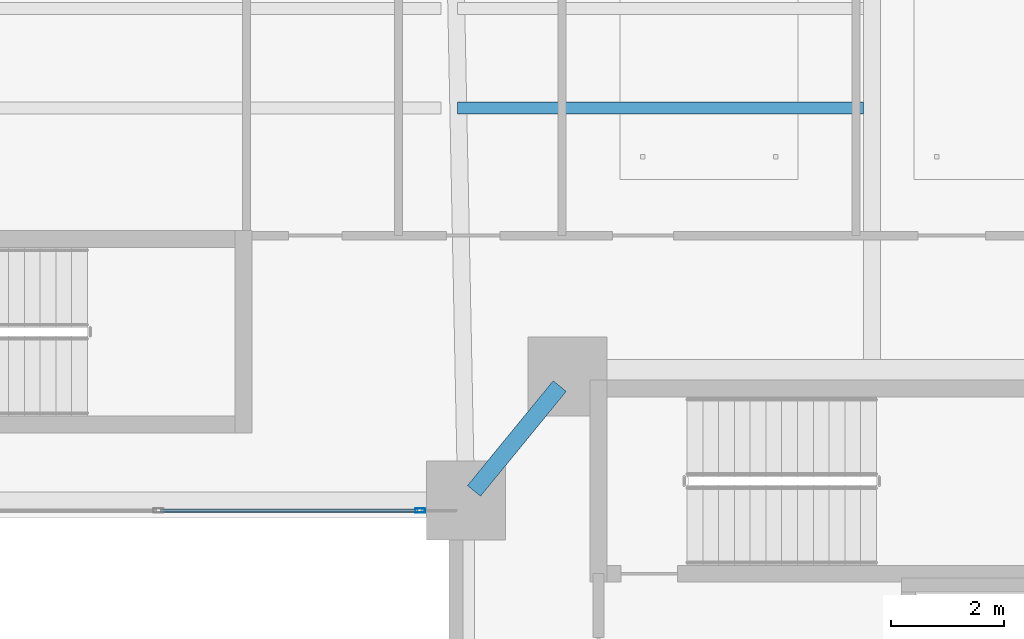
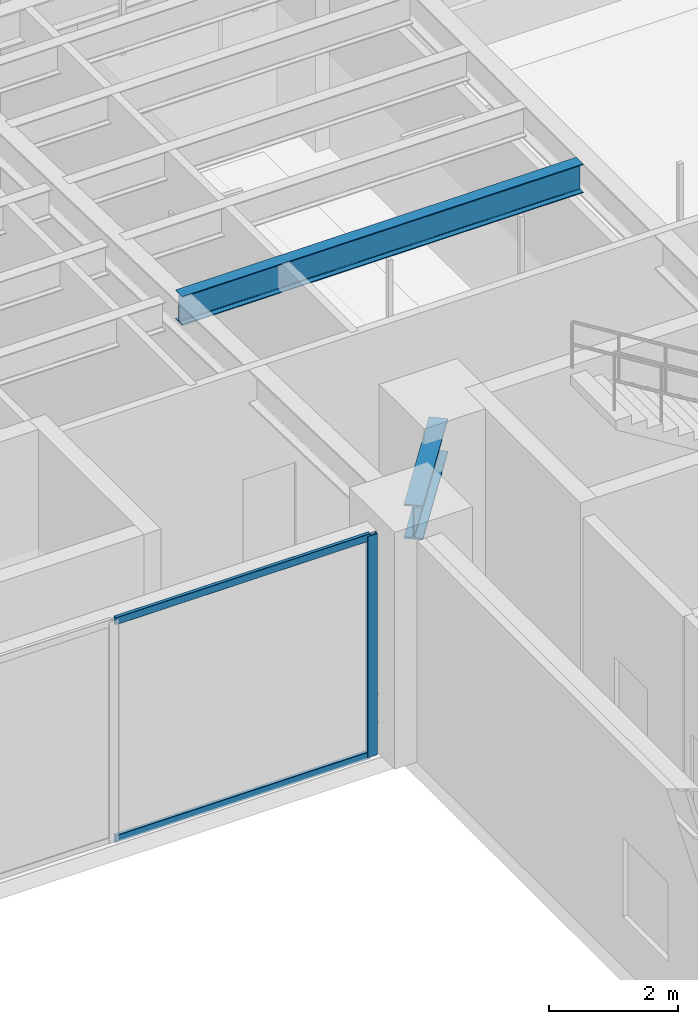
# One storey, part 24 of 39: 3 members, 2 beams, 1 element without a shape of its own.
"""IFC4 building model written with IfcOpenShell, lengths in metres."""

from ifc_helpers import new_model, si_unit, direction, frame, origin, origin_2d, place, context, subcontext, project, spatial, hollow_rectangle, i_section, extrude, material, layer, layer_set, material_profile, profile_set, type_object, element, aggregate, save


model = new_model("IFC4")

# Units and contexts
model_context = context("Model", 3, precision=1e-05, world=origin(), true_north=direction((0.0, 1.0)))
body_context = subcontext(model_context, "Body", "Model", "MODEL_VIEW")
ifc_project = project(units=[si_unit("LENGTHUNIT", "METRE"), si_unit("AREAUNIT", "SQUARE_METRE"), si_unit("VOLUMEUNIT", "CUBIC_METRE"), si_unit("PLANEANGLEUNIT", "RADIAN"), si_unit("MASSUNIT", "GRAM", prefix="KILO")], contexts=[model_context])

# Site, building, storey
site_placement = place(None, origin())
site = spatial("IfcSite", under=ifc_project, at=site_placement, CompositionType="ELEMENT")
building_placement = place(site_placement, origin())
building = spatial("IfcBuilding", under=site, at=building_placement, Name="Tarnavaz Court Tower", CompositionType="ELEMENT")
storey_placement = place(building_placement, frame((0.0, 0.0, 68.699951171875)))
storey = spatial("IfcBuildingStorey", under=building, at=storey_placement, Name="L18", CompositionType="ELEMENT", Elevation=68.699951171875)

# Beams
ifc_material_1 = material(Name="Steel S355", Category="steel")
ifc_material_profile_1 = material_profile(ifc_material_1, i_section(OverallWidth=0.300048828125, OverallDepth=0.64990234375, WebThickness=0.01611328125, FlangeThickness=0.031005859375, FilletRadius=0.027099609375, at=origin_2d()), Name="HEB 650")
ifc_profile_set_1 = profile_set([ifc_material_profile_1], Name="Steel S355")
beam_type_1 = type_object("IfcBeamType", Name="BM-G-HEB650", PredefinedType="USERDEFINED", material=ifc_profile_set_1)
beam_1_placement = place(storey_placement, frame((9.460693359375, 9.82958984375, 3.875), z_axis=(-0.633282058357, -0.773921077735, 0.0), x_axis=(0.773921077735, -0.633282058357, 0.0)))
element("IfcBeam", 1, at=beam_1_placement, inside=storey, type_object=beam_type_1, Name="L18 Beam IN-CE-NI-IW-NE", ObjectType="GIRDER", PredefinedType="USERDEFINED", context=body_context, shape_type="SweptSolid", body=[
    extrude(i_section(OverallWidth=0.300048828125, OverallDepth=0.64990234375, WebThickness=0.01611328125, FlangeThickness=0.031005859375, FilletRadius=0.027099609375, at=origin_2d()), origin(), (0.0, 0.0, 1.0), 2.402587890625),
])
ifc_material_profile_2 = material_profile(ifc_material_1, i_section(OverallWidth=0.2099609375, OverallDepth=0.550048828125, WebThickness=0.010986328125, FlangeThickness=0.01708984375, FilletRadius=0.02392578125, at=origin_2d()), Name="IPE 550")
ifc_profile_set_2 = profile_set([ifc_material_profile_2], Name="Steel S355")
beam_type_2 = type_object("IfcBeamType", Name="BM-J-IPE550", PredefinedType="JOIST", material=ifc_profile_set_2)
beam_2_placement = place(storey_placement, frame((7.64990234375, 14.763916015625, 3.925048828125), z_axis=(1.0, 0.0, 0.0), x_axis=(0.0, 1.0, 0.0)))
element("IfcBeam", 2, at=beam_2_placement, inside=storey, type_object=beam_type_2, Name="L18 Beam JN1-3", PredefinedType="JOIST", context=body_context, shape_type="SweptSolid", body=[
    extrude(i_section(OverallWidth=0.2099609375, OverallDepth=0.550048828125, WebThickness=0.010986328125, FlangeThickness=0.01708984375, FilletRadius=0.02392578125, at=origin_2d()), origin(), (0.0, 0.0, 1.0), 7.2001953125),
])

# Curtain wall, members
ifc_material_2 = material(Name="Anodised Aluminium 6063-T6 and Solar Low-E Glazing", Category="aluminium")
ifc_layer = layer(ifc_material_2, 0.139892578125)
ifc_layer_set = layer_set([ifc_layer], Name="Anodised Aluminium 6063-T6 and Solar Low-E Glazing")
curtain_wall_type = type_object("IfcCurtainWallType", Name="CW-SYS-04", PredefinedType="NOTDEFINED", material=ifc_layer_set)
curtain_wall_placement = place(storey_placement, origin())
curtain_wall = element("IfcCurtainWall", 3, at=curtain_wall_placement, inside=storey, type_object=curtain_wall_type, Name="L18 Badgir Courtyard Curtain Wall N", PredefinedType="NOTDEFINED")
ifc_material_3 = material(Name="Anodised Aluminium 6063-T6", Category="aluminium")
ifc_material_profile_3 = material_profile(ifc_material_3, hollow_rectangle(XDim=0.074951171875, YDim=0.179931640625, WallThickness=0.0048828125, InnerFilletRadius=0.0048828125, OuterFilletRadius=0.010009765625, at=origin_2d()), Name="ALU RHS 180X75X5")
ifc_profile_set_3 = profile_set([ifc_material_profile_3], Name="Anodised Aluminium 6063-T6")
member_type_1 = type_object("IfcMemberType", Name="CW-MUL-180", PredefinedType="MULLION", material=ifc_profile_set_3)
member_1_placement = place(storey_placement, frame((6.982421875, 7.6201171875, 0.0), z_axis=(0.0, 0.0, 1.0), x_axis=(0.0, -1.0, 0.0)))
member_1 = element("IfcMember", 4, at=member_1_placement, type_object=member_type_1, Name="CW mullion 1", PredefinedType="MULLION", context=body_context, shape_type="SweptSolid", body=[
    extrude(hollow_rectangle(XDim=0.074951171875, YDim=0.179931640625, WallThickness=0.0048828125, InnerFilletRadius=0.0048828125, OuterFilletRadius=0.010009765625, at=origin_2d()), origin(), (0.0, 0.0, 1.0), 4.199951171875),
])
ifc_material_profile_4 = material_profile(ifc_material_3, hollow_rectangle(XDim=0.06494140625, YDim=0.139892578125, WallThickness=0.00390625, InnerFilletRadius=0.00390625, OuterFilletRadius=0.008056640625, at=origin_2d()), Name="ALU RHS 140X65X4")
ifc_profile_set_4 = profile_set([ifc_material_profile_4], Name="Anodised Aluminium 6063-T6")
member_type_2 = type_object("IfcMemberType", Name="CW-TRN-140", PredefinedType="USERDEFINED", material=ifc_profile_set_4)
member_2_placement = place(storey_placement, frame((6.945068359375, 7.6201171875, 0.032470703125), z_axis=(-1.0, 0.0, 0.0), x_axis=(0.0, -1.0, 0.0)))
member_2 = element("IfcMember", 5, at=member_2_placement, type_object=member_type_2, Name="CW transom 1.1", ObjectType="TRANSOM", PredefinedType="USERDEFINED", context=body_context, shape_type="SweptSolid", body=[
    extrude(hollow_rectangle(XDim=0.06494140625, YDim=0.139892578125, WallThickness=0.00390625, InnerFilletRadius=0.00390625, OuterFilletRadius=0.008056640625, at=origin_2d()), origin(), (0.0, 0.0, 1.0), 4.567626953125),
])
member_3_placement = place(storey_placement, frame((6.945068359375, 7.6201171875, 4.16748046875), z_axis=(-1.0, 0.0, 0.0), x_axis=(0.0, -1.0, 0.0)))
member_3 = element("IfcMember", 6, at=member_3_placement, type_object=member_type_2, Name="CW transom 1.2", ObjectType="TRANSOM", PredefinedType="USERDEFINED", context=body_context, shape_type="SweptSolid", body=[
    extrude(hollow_rectangle(XDim=0.06494140625, YDim=0.139892578125, WallThickness=0.00390625, InnerFilletRadius=0.00390625, OuterFilletRadius=0.008056640625, at=origin_2d()), origin(), (0.0, 0.0, 1.0), 4.567626953125),
])
aggregate(curtain_wall, [member_1, member_2, member_3])

save(model, "model.ifc")
